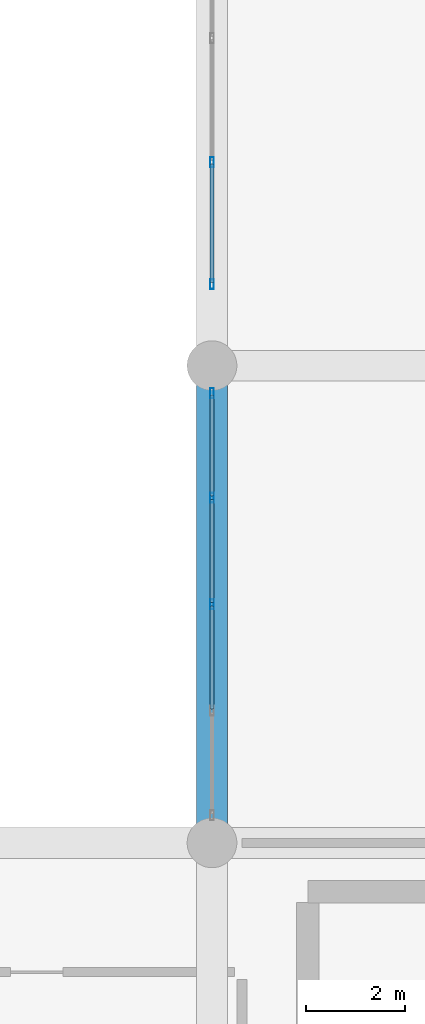
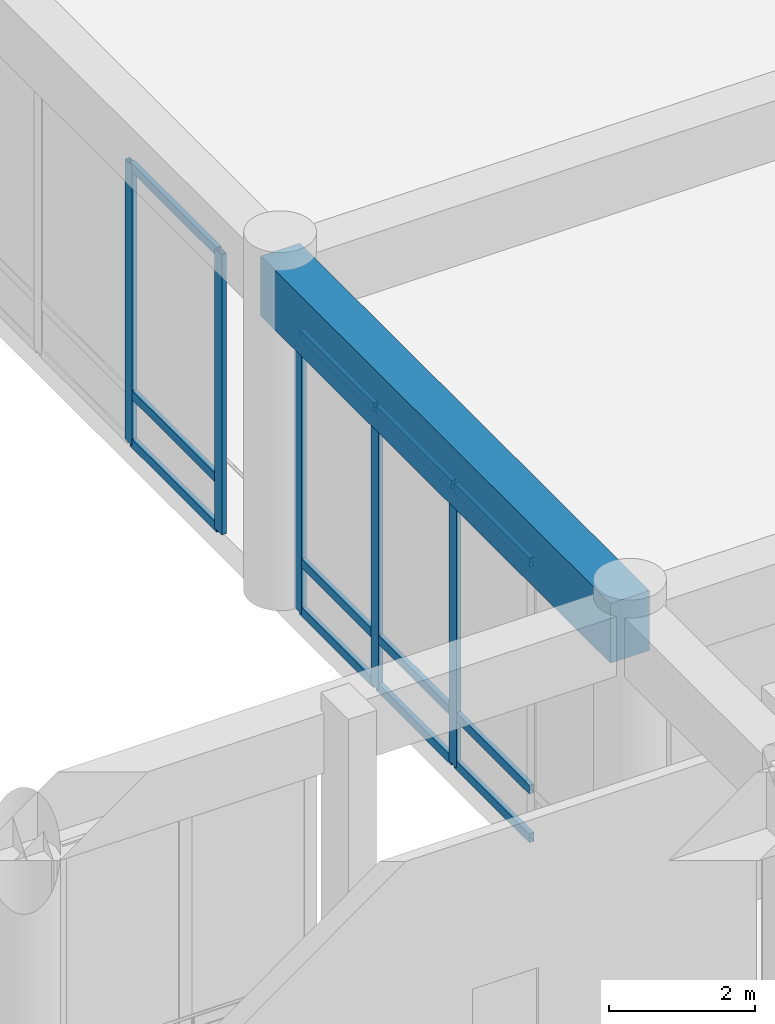
# One storey, part 25 of 87: 17 members, 1 beam, 2 elements without a shape of their own.
"""IFC4 building model written with IfcOpenShell, lengths in metres."""

from ifc_helpers import new_model, si_unit, direction, frame, origin, origin_2d, place, context, subcontext, project, spatial, rectangle, hollow_rectangle, extrude, material, layer, layer_set, material_profile, profile_set, type_object, element, aggregate, save


model = new_model("IFC4")

# Units and contexts
model_context = context("Model", 3, precision=1e-05, world=origin(), true_north=direction((0.0, 1.0)))
body_context = subcontext(model_context, "Body", "Model", "MODEL_VIEW")
ifc_project = project(units=[si_unit("LENGTHUNIT", "METRE"), si_unit("AREAUNIT", "SQUARE_METRE"), si_unit("VOLUMEUNIT", "CUBIC_METRE"), si_unit("PLANEANGLEUNIT", "RADIAN"), si_unit("MASSUNIT", "GRAM", prefix="KILO")], contexts=[model_context])

# Site, building, storey
site_placement = place(None, origin())
site = spatial("IfcSite", under=ifc_project, at=site_placement, CompositionType="ELEMENT")
building_placement = place(site_placement, origin())
building = spatial("IfcBuilding", under=site, at=building_placement, Name="Nakhvara Creek Congress Hotel", CompositionType="ELEMENT")
storey_placement = place(building_placement, origin())
storey = spatial("IfcBuildingStorey", under=building, at=storey_placement, Name="L00", CompositionType="ELEMENT", Elevation=0.0)

# Beam
ifc_material_1 = material(Name="Concrete C50/60", Category="concrete")
ifc_material_profile_1 = material_profile(ifc_material_1, rectangle(XDim=0.6201171875, YDim=1.0, at=origin_2d()), Name="RC-BM 620x1000", Category="LoadBearing")
ifc_profile_set_1 = profile_set([ifc_material_profile_1], Name="Concrete C50/60")
beam_type = type_object("IfcBeamType", Name="BM-RC-620X1000", PredefinedType="BEAM", material=ifc_profile_set_1)
beam_placement = place(storey_placement, frame((124.800048828125, 43.199951171875, 5.199951171875), z_axis=(0.0, 1.0, 0.0), x_axis=(-1.0, 0.0, 0.0)))
element("IfcBeam", 1, at=beam_placement, inside=storey, type_object=beam_type, Name="Beam B16-L00-0891", PredefinedType="BEAM", context=body_context, shape_type="SweptSolid", body=[
    extrude(rectangle(XDim=0.6201171875, YDim=1.0, at=origin_2d()), origin(), (0.0, 0.0, 1.0), 9.60009765625),
])

# Curtain wall, members
ifc_material_2 = material(Name="Bronze-anodised aluminium AW-6063-T6 and double-silver low-E glass", Category="aluminium")
ifc_layer = layer(ifc_material_2, 0.199951171875)
ifc_layer_set = layer_set([ifc_layer], Name="Bronze-anodised aluminium AW-6063-T6 and double-silver low-E glass")
curtain_wall_type = type_object("IfcCurtainWallType", Name="CW-POD-STICK", PredefinedType="NOTDEFINED", material=ifc_layer_set)
curtain_wall_1_placement = place(storey_placement, origin())
curtain_wall_1 = element("IfcCurtainWall", 2, at=curtain_wall_1_placement, inside=storey, type_object=curtain_wall_type, Name="Curtain Wall CW012", PredefinedType="NOTDEFINED")
ifc_material_3 = material(Name="Bronze-anodised aluminium AW-6063-T6", Category="aluminium")
ifc_material_profile_2 = material_profile(ifc_material_3, hollow_rectangle(XDim=0.074951171875, YDim=0.199951171875, WallThickness=0.0048828125, at=origin_2d()), Name="ALU-MULL 75x200x5", Category="LoadBearing")
ifc_profile_set_2 = profile_set([ifc_material_profile_2], Name="Bronze-anodised aluminium AW-6063-T6")
member_type_1 = type_object("IfcMemberType", Name="CW-MULL-200", PredefinedType="MULLION", material=ifc_profile_set_2)
member_1_placement = place(storey_placement, frame((124.800048828125, 48.0, 0.0), z_axis=(0.0, 0.0, 1.0), x_axis=(-1.0, 0.0, 0.0)))
member_1 = element("IfcMember", 3, at=member_1_placement, type_object=member_type_1, Name="CW012 mullion 3", PredefinedType="MULLION", context=body_context, shape_type="SweptSolid", body=[
    extrude(hollow_rectangle(XDim=0.074951171875, YDim=0.199951171875, WallThickness=0.0048828125, at=origin_2d()), origin(), (0.0, 0.0, 1.0), 4.69189453125),
])
member_2_placement = place(storey_placement, frame((124.800048828125, 50.142578125, 0.0), z_axis=(0.0, 0.0, 1.0), x_axis=(-1.0, 0.0, 0.0)))
member_2 = element("IfcMember", 4, at=member_2_placement, type_object=member_type_1, Name="CW012 mullion 4", PredefinedType="MULLION", context=body_context, shape_type="SweptSolid", body=[
    extrude(hollow_rectangle(XDim=0.074951171875, YDim=0.199951171875, WallThickness=0.0048828125, at=origin_2d()), origin(), (0.0, 0.0, 1.0), 4.69189453125),
])
member_3_placement = place(storey_placement, frame((124.800048828125, 52.24755859375, 0.0), z_axis=(0.0, 0.0, 1.0), x_axis=(-1.0, 0.0, 0.0)))
member_3 = element("IfcMember", 5, at=member_3_placement, type_object=member_type_1, Name="CW012 mullion 5", PredefinedType="MULLION", context=body_context, shape_type="SweptSolid", body=[
    extrude(hollow_rectangle(XDim=0.074951171875, YDim=0.199951171875, WallThickness=0.0048828125, at=origin_2d()), origin(), (0.0, 0.0, 1.0), 4.69189453125),
])

curtain_wall_2_placement = place(storey_placement, origin())
curtain_wall_2 = element("IfcCurtainWall", 6, at=curtain_wall_2_placement, inside=storey, type_object=curtain_wall_type, Name="Curtain Wall CW014", PredefinedType="NOTDEFINED")
member_4_placement = place(storey_placement, frame((124.800048828125, 54.4375, 0.0), z_axis=(0.0, 0.0, 1.0), x_axis=(-1.0, 0.0, 0.0)))
member_4 = element("IfcMember", 7, at=member_4_placement, type_object=member_type_1, Name="CW014 mullion 1", PredefinedType="MULLION", context=body_context, shape_type="SweptSolid", body=[
    extrude(hollow_rectangle(XDim=0.074951171875, YDim=0.199951171875, WallThickness=0.0048828125, at=origin_2d()), origin(), (0.0, 0.0, 1.0), 4.69189453125),
])
member_5_placement = place(storey_placement, frame((124.800048828125, 56.89501953125, 0.0), z_axis=(0.0, 0.0, 1.0), x_axis=(-1.0, 0.0, 0.0)))
member_5 = element("IfcMember", 8, at=member_5_placement, type_object=member_type_1, Name="CW014 mullion 2", PredefinedType="MULLION", context=body_context, shape_type="SweptSolid", body=[
    extrude(hollow_rectangle(XDim=0.074951171875, YDim=0.199951171875, WallThickness=0.0048828125, at=origin_2d()), origin(), (0.0, 0.0, 1.0), 4.69189453125),
])

# Member
ifc_material_profile_3 = material_profile(ifc_material_3, hollow_rectangle(XDim=0.074951171875, YDim=0.14990234375, WallThickness=0.00390625, at=origin_2d()), Name="ALU-TRAN 75x150x4", Category="LoadBearing")
ifc_profile_set_3 = profile_set([ifc_material_profile_3], Name="Bronze-anodised aluminium AW-6063-T6")
member_type_2 = type_object("IfcMemberType", Name="CW-TRAN-150", PredefinedType="USERDEFINED", material=ifc_profile_set_3)
member_6_placement = place(storey_placement, frame((124.800048828125, 45.89501953125, 0.03759765625), z_axis=(0.0, 1.0, 0.0), x_axis=(-1.0, 0.0, 0.0)))
member_6 = element("IfcMember", 9, at=member_6_placement, type_object=member_type_2, Name="CW012 transom 2.1", ObjectType="TRANSOM", PredefinedType="USERDEFINED", context=body_context, shape_type="SweptSolid", body=[
    extrude(hollow_rectangle(XDim=0.074951171875, YDim=0.14990234375, WallThickness=0.00390625, at=origin_2d()), origin(), (0.0, 0.0, 1.0), 2.0673828125),
])

member_7_placement = place(storey_placement, frame((124.800048828125, 45.89501953125, 0.85009765625), z_axis=(0.0, 1.0, 0.0), x_axis=(-1.0, 0.0, 0.0)))
member_7 = element("IfcMember", 10, at=member_7_placement, type_object=member_type_2, Name="CW012 transom 2.2", ObjectType="TRANSOM", PredefinedType="USERDEFINED", context=body_context, shape_type="SweptSolid", body=[
    extrude(hollow_rectangle(XDim=0.074951171875, YDim=0.14990234375, WallThickness=0.00390625, at=origin_2d()), origin(), (0.0, 0.0, 1.0), 2.0673828125),
])

member_8_placement = place(storey_placement, frame((124.800048828125, 45.89501953125, 4.654541015625), z_axis=(0.0, 1.0, 0.0), x_axis=(-1.0, 0.0, 0.0)))
member_8 = element("IfcMember", 11, at=member_8_placement, type_object=member_type_2, Name="CW012 transom 2.3", ObjectType="TRANSOM", PredefinedType="USERDEFINED", context=body_context, shape_type="SweptSolid", body=[
    extrude(hollow_rectangle(XDim=0.074951171875, YDim=0.14990234375, WallThickness=0.00390625, at=origin_2d()), origin(), (0.0, 0.0, 1.0), 2.0673828125),
])

member_9_placement = place(storey_placement, frame((124.800048828125, 48.03759765625, 0.03759765625), z_axis=(0.0, 1.0, 0.0), x_axis=(-1.0, 0.0, 0.0)))
member_9 = element("IfcMember", 12, at=member_9_placement, type_object=member_type_2, Name="CW012 transom 3.1", ObjectType="TRANSOM", PredefinedType="USERDEFINED", context=body_context, shape_type="SweptSolid", body=[
    extrude(hollow_rectangle(XDim=0.074951171875, YDim=0.14990234375, WallThickness=0.00390625, at=origin_2d()), origin(), (0.0, 0.0, 1.0), 2.0673828125),
])

member_10_placement = place(storey_placement, frame((124.800048828125, 48.03759765625, 0.85009765625), z_axis=(0.0, 1.0, 0.0), x_axis=(-1.0, 0.0, 0.0)))
member_10 = element("IfcMember", 13, at=member_10_placement, type_object=member_type_2, Name="CW012 transom 3.2", ObjectType="TRANSOM", PredefinedType="USERDEFINED", context=body_context, shape_type="SweptSolid", body=[
    extrude(hollow_rectangle(XDim=0.074951171875, YDim=0.14990234375, WallThickness=0.00390625, at=origin_2d()), origin(), (0.0, 0.0, 1.0), 2.0673828125),
])

member_11_placement = place(storey_placement, frame((124.800048828125, 48.03759765625, 4.654541015625), z_axis=(0.0, 1.0, 0.0), x_axis=(-1.0, 0.0, 0.0)))
member_11 = element("IfcMember", 14, at=member_11_placement, type_object=member_type_2, Name="CW012 transom 3.3", ObjectType="TRANSOM", PredefinedType="USERDEFINED", context=body_context, shape_type="SweptSolid", body=[
    extrude(hollow_rectangle(XDim=0.074951171875, YDim=0.14990234375, WallThickness=0.00390625, at=origin_2d()), origin(), (0.0, 0.0, 1.0), 2.0673828125),
])

member_12_placement = place(storey_placement, frame((124.800048828125, 50.179931640625, 0.03759765625), z_axis=(0.0, 1.0, 0.0), x_axis=(-1.0, 0.0, 0.0)))
member_12 = element("IfcMember", 15, at=member_12_placement, type_object=member_type_2, Name="CW012 transom 4.1", ObjectType="TRANSOM", PredefinedType="USERDEFINED", context=body_context, shape_type="SweptSolid", body=[
    extrude(hollow_rectangle(XDim=0.074951171875, YDim=0.14990234375, WallThickness=0.00390625, at=origin_2d()), origin(), (0.0, 0.0, 1.0), 2.030029296875),
])

member_13_placement = place(storey_placement, frame((124.800048828125, 50.179931640625, 0.85009765625), z_axis=(0.0, 1.0, 0.0), x_axis=(-1.0, 0.0, 0.0)))
member_13 = element("IfcMember", 16, at=member_13_placement, type_object=member_type_2, Name="CW012 transom 4.2", ObjectType="TRANSOM", PredefinedType="USERDEFINED", context=body_context, shape_type="SweptSolid", body=[
    extrude(hollow_rectangle(XDim=0.074951171875, YDim=0.14990234375, WallThickness=0.00390625, at=origin_2d()), origin(), (0.0, 0.0, 1.0), 2.030029296875),
])

member_14_placement = place(storey_placement, frame((124.800048828125, 50.179931640625, 4.654541015625), z_axis=(0.0, 1.0, 0.0), x_axis=(-1.0, 0.0, 0.0)))
member_14 = element("IfcMember", 17, at=member_14_placement, type_object=member_type_2, Name="CW012 transom 4.3", ObjectType="TRANSOM", PredefinedType="USERDEFINED", context=body_context, shape_type="SweptSolid", body=[
    extrude(hollow_rectangle(XDim=0.074951171875, YDim=0.14990234375, WallThickness=0.00390625, at=origin_2d()), origin(), (0.0, 0.0, 1.0), 2.030029296875),
])

aggregate(curtain_wall_1, [member_1, member_2, member_3, member_6, member_7, member_8, member_9, member_10, member_11, member_12, member_13, member_14])

member_15_placement = place(storey_placement, frame((124.800048828125, 54.47509765625, 0.03759765625), z_axis=(0.0, 1.0, 0.0), x_axis=(-1.0, 0.0, 0.0)))
member_15 = element("IfcMember", 18, at=member_15_placement, type_object=member_type_2, Name="CW014 transom 1.1", ObjectType="TRANSOM", PredefinedType="USERDEFINED", context=body_context, shape_type="SweptSolid", body=[
    extrude(hollow_rectangle(XDim=0.074951171875, YDim=0.14990234375, WallThickness=0.00390625, at=origin_2d()), origin(), (0.0, 0.0, 1.0), 2.38232421875),
])

member_16_placement = place(storey_placement, frame((124.800048828125, 54.47509765625, 0.85009765625), z_axis=(0.0, 1.0, 0.0), x_axis=(-1.0, 0.0, 0.0)))
member_16 = element("IfcMember", 19, at=member_16_placement, type_object=member_type_2, Name="CW014 transom 1.2", ObjectType="TRANSOM", PredefinedType="USERDEFINED", context=body_context, shape_type="SweptSolid", body=[
    extrude(hollow_rectangle(XDim=0.074951171875, YDim=0.14990234375, WallThickness=0.00390625, at=origin_2d()), origin(), (0.0, 0.0, 1.0), 2.38232421875),
])

member_17_placement = place(storey_placement, frame((124.800048828125, 54.47509765625, 4.654541015625), z_axis=(0.0, 1.0, 0.0), x_axis=(-1.0, 0.0, 0.0)))
member_17 = element("IfcMember", 20, at=member_17_placement, type_object=member_type_2, Name="CW014 transom 1.3", ObjectType="TRANSOM", PredefinedType="USERDEFINED", context=body_context, shape_type="SweptSolid", body=[
    extrude(hollow_rectangle(XDim=0.074951171875, YDim=0.14990234375, WallThickness=0.00390625, at=origin_2d()), origin(), (0.0, 0.0, 1.0), 2.38232421875),
])

aggregate(curtain_wall_2, [member_4, member_5, member_15, member_16, member_17])

save(model, "model.ifc")
